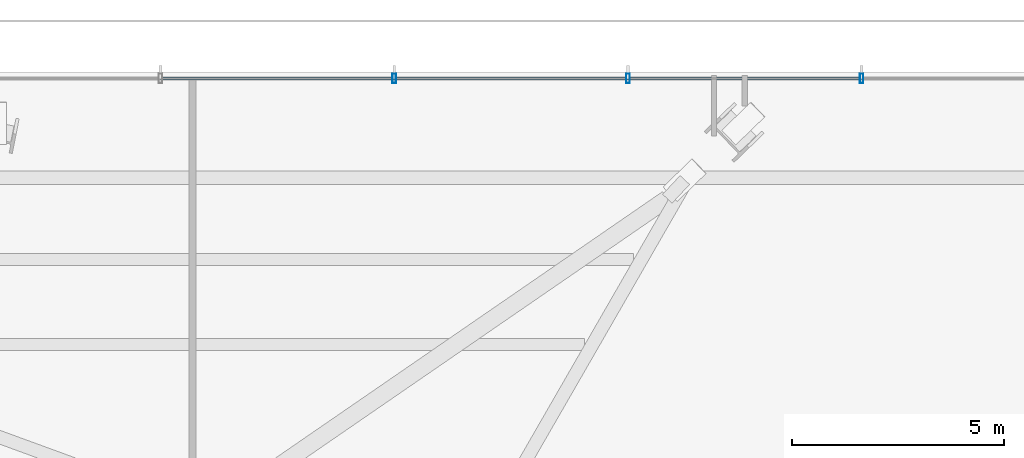
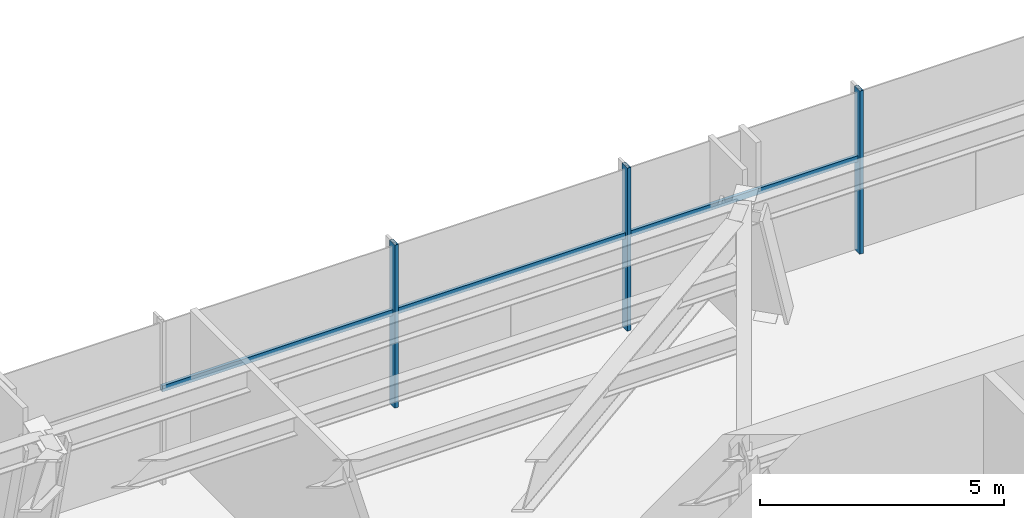
# One storey, part 17 of 33: 6 members, 1 element without a shape of its own.
"""IFC4 building model written with IfcOpenShell, lengths in metres."""

import ifcopenshell
import ifcopenshell.guid

model = None  # the IFC model being written
_history = None  # IfcOwnerHistory: only IFC2X3 demands one
_inside = {}  # id of a spatial element -> (the spatial element, [elements in it])
_under = {}  # id of a project, library or spatial element -> (it, [spatial elements below it])
_declared = {}  # id of a project -> (the project, [libraries it declares])
_typed = {}  # id of a type object -> (the type object, [elements of that type])
_made_of = {}  # id of a material, layer set ... -> (it, [elements and type objects made of it])


def new_model(schema):
    """Start an empty IFC model of exactly this schema.

    Asked for "IFC4X3", IfcOpenShell would pick the latest addendum, in which some entities
    have other attributes; the version numbers below select the first issue.
    IFC2X3 requires an IfcOwnerHistory on every rooted entity: one is made here for all.
    """
    global model, _history
    if schema == "IFC4X3":
        model = ifcopenshell.file(schema_version=(4, 3, 0, 0))
    else:
        model = ifcopenshell.file(schema=schema)
    _inside.clear()
    _under.clear()
    _declared.clear()
    _typed.clear()
    _made_of.clear()
    _history = None
    if model.schema == "IFC2X3":
        org = make("IfcOrganization", Name="unknown")
        user = make(
            "IfcPersonAndOrganization",
            ThePerson=make("IfcPerson", FamilyName="unknown"),
            TheOrganization=org,
        )
        app = make(
            "IfcApplication",
            ApplicationDeveloper=org,
            Version="unknown",
            ApplicationFullName="unknown",
            ApplicationIdentifier="unknown",
        )
        _history = make(
            "IfcOwnerHistory",
            OwningUser=user,
            OwningApplication=app,
            ChangeAction="ADDED",
            CreationDate=0,
        )
    return model


def make(cls, **values):
    """One entity of the class cls with the attributes given. An attribute that is None is left unset."""
    return model.create_entity(
        cls, **{name: value for name, value in values.items() if value is not None}
    )


def rooted(cls, **values):
    """An entity with a GlobalId (a new one), such as an element, a storey or a relation."""
    return make(cls, GlobalId=ifcopenshell.guid.new(), OwnerHistory=_history, **values)


def si_unit(unit_type, name, prefix=None):
    """IfcSIUnit, for example si_unit("LENGTHUNIT", "METRE", prefix="MILLI")."""
    return make("IfcSIUnit", UnitType=unit_type, Prefix=prefix, Name=name)


def assignment(units):
    """IfcUnitAssignment: the units of a project."""
    return None if units is None else make("IfcUnitAssignment", Units=units)


def point(xyz):
    """IfcCartesianPoint."""
    return None if xyz is None else make("IfcCartesianPoint", Coordinates=xyz)


def direction(xyz):
    """IfcDirection."""
    return None if xyz is None else make("IfcDirection", DirectionRatios=xyz)


def frame(location, z_axis=None, x_axis=None):
    """IfcAxis2Placement3D, a coordinate frame: its origin and axes. An axis left out is left unset."""
    return make(
        "IfcAxis2Placement3D",
        Location=point(location),
        Axis=direction(z_axis),
        RefDirection=direction(x_axis),
    )


def frame_2d(location, x_axis=None):
    """IfcAxis2Placement2D, a coordinate frame in the plane: its origin and x axis."""
    return make(
        "IfcAxis2Placement2D", Location=point(location), RefDirection=direction(x_axis)
    )


def origin():
    """The frame at (0, 0, 0) with its axes left unset."""
    return frame((0.0, 0.0, 0.0))


def origin_2d():
    """The frame at (0, 0) in the plane with its x axis left unset."""
    return frame_2d((0.0, 0.0))


def place(relative_to, where):
    """IfcLocalPlacement: puts the frame where relative to a parent placement (None: the world)."""
    return make(
        "IfcLocalPlacement", PlacementRelTo=relative_to, RelativePlacement=where
    )


def context(
    kind, dimensions, precision=None, world=None, true_north=None, identifier=None
):
    """IfcGeometricRepresentationContext, for example the 3D "Model" context."""
    return make(
        "IfcGeometricRepresentationContext",
        ContextIdentifier=identifier,
        ContextType=kind,
        CoordinateSpaceDimension=dimensions,
        Precision=precision,
        WorldCoordinateSystem=world,
        TrueNorth=true_north,
    )


def subcontext(parent, identifier, kind, view, scale=None):
    """IfcGeometricRepresentationSubContext, for example "Body" below "Model"."""
    return make(
        "IfcGeometricRepresentationSubContext",
        ContextIdentifier=identifier,
        ContextType=kind,
        ParentContext=parent,
        TargetScale=scale,
        TargetView=view,
    )


def project(units=None, contexts=None):
    """IfcProject with its units and contexts."""
    return rooted(
        "IfcProject",
        Name="project",
        RepresentationContexts=contexts,
        UnitsInContext=assignment(units),
    )


def spatial(cls, under=None, at=None, **own):
    """A site, building, storey or space (cls), placed at a placement, below another one or the project."""
    s = rooted(cls, ObjectPlacement=at, **own)
    if under is not None:
        _under.setdefault(under.id(), (under, []))[1].append(s)
    return s


def profile(cls, at=None, kind="AREA", **sizes):
    """A parametric profile (cls). Its sizes go by their IFC names, for example OverallWidth=200.0."""
    return make(cls, ProfileType=kind, Position=at, **sizes)


def hollow_rectangle(**sizes):
    """IfcRectangleHollowProfileDef."""
    return profile("IfcRectangleHollowProfileDef", **sizes)


def extrude(swept, where, along, depth):
    """IfcExtrudedAreaSolid: the profile swept, set in the frame where, extruded along a direction by depth."""
    return make(
        "IfcExtrudedAreaSolid",
        SweptArea=swept,
        Position=where,
        ExtrudedDirection=direction(along),
        Depth=depth,
    )


def shape(context_of_items, identifier, shape_type, items):
    """IfcShapeRepresentation: the items that make up one representation, for example the "Body"."""
    return make(
        "IfcShapeRepresentation",
        ContextOfItems=context_of_items,
        RepresentationIdentifier=identifier,
        RepresentationType=shape_type,
        Items=items,
    )


def source(mapping_origin, context_of_items, identifier, shape_type, items):
    """IfcRepresentationMap: a shape defined once, which mapped items show again and again."""
    return make(
        "IfcRepresentationMap",
        MappingOrigin=mapping_origin,
        MappedRepresentation=shape(context_of_items, identifier, shape_type, items),
    )


def transform(
    local_origin,
    x_axis=None,
    y_axis=None,
    z_axis=None,
    scale=None,
    scale2=None,
    scale3=None,
    uniform=True,
):
    """IfcCartesianTransformationOperator3D, or its non-uniform kind. x_axis, y_axis, z_axis: its Axis1, 2, 3."""
    if uniform:
        return make(
            "IfcCartesianTransformationOperator3D",
            Axis1=direction(x_axis),
            Axis2=direction(y_axis),
            LocalOrigin=point(local_origin),
            Scale=scale,
            Axis3=direction(z_axis),
        )
    return make(
        "IfcCartesianTransformationOperator3DnonUniform",
        Axis1=direction(x_axis),
        Axis2=direction(y_axis),
        LocalOrigin=point(local_origin),
        Scale=scale,
        Axis3=direction(z_axis),
        Scale2=scale2,
        Scale3=scale3,
    )


def mapped(mapping_source, mapping_target):
    """IfcMappedItem: shows the shape of a source again, moved by a transform."""
    return make(
        "IfcMappedItem", MappingSource=mapping_source, MappingTarget=mapping_target
    )


def material(Name=None, Category=None):
    """IfcMaterial."""
    return make("IfcMaterial", Name=Name, Category=Category)


def material_profile(
    of_material, cross_section, Name=None, Category=None, Priority=None
):
    """IfcMaterialProfile: a cross section and its material."""
    return make(
        "IfcMaterialProfile",
        Name=Name,
        Material=of_material,
        Profile=cross_section,
        Priority=Priority,
        Category=Category,
    )


def profile_set(profiles, Name=None, composite=None):
    """IfcMaterialProfileSet."""
    return make(
        "IfcMaterialProfileSet",
        Name=Name,
        MaterialProfiles=profiles,
        CompositeProfile=composite,
    )


def made_of(thing, what):
    """Note that an element or type object is made of a material, layer set ...; save() writes the relation."""
    if what is not None:
        _made_of.setdefault(what.id(), (what, []))[1].append(thing)
    return thing


def type_object(cls, material=None, **own):
    """A type object (cls), such as IfcWallType, which elements share."""
    return made_of(rooted(cls, **own), material)


def type_shapes(of_type, sources):
    """Give a type object the sources (RepresentationMaps) that its elements show as mapped items."""
    of_type.RepresentationMaps = sources


def element(
    cls,
    number,
    at=None,
    inside=None,
    cuts=None,
    type_object=None,
    material=None,
    context=None,
    identifier="Body",
    shape_type=None,
    held_by="IfcProductDefinitionShape",
    body=None,
    shapes=None,
    **own,
):
    """One element of the class cls, such as IfcWall. Its Tag is "e" and its number.

    at: its placement. inside: the storey or other place that contains it. cuts: it is an
    opening in that element (IfcRelVoidsElement). A single representation is given by context,
    identifier, shape_type and body (its items); several are given by shapes. held_by: the class
    of the entity that holds the representations. save() writes the other relations.
    """
    e = rooted(cls, Tag="e%d" % number, ObjectPlacement=at, **own)
    if body is not None:
        shapes = [shape(context, identifier, shape_type, body)]
    if shapes is not None:
        e.Representation = make(held_by, Representations=shapes)
    if inside is not None:
        _inside.setdefault(inside.id(), (inside, []))[1].append(e)
    if cuts is not None:
        rooted(
            "IfcRelVoidsElement", RelatingBuildingElement=cuts, RelatedOpeningElement=e
        )
    if type_object is not None:
        _typed.setdefault(type_object.id(), (type_object, []))[1].append(e)
    return made_of(e, material)


def aggregate(whole, parts):
    """IfcRelAggregates: a whole, such as a stair, and the parts it consists of."""
    return rooted("IfcRelAggregates", RelatingObject=whole, RelatedObjects=parts)


def save(model, path):
    """Write the relations noted so far, then the file.

    IfcRelAggregates (storeys below a building ...), IfcRelContainedInSpatialStructure (elements
    in a storey), IfcRelDefinesByType, IfcRelAssociatesMaterial and IfcRelDeclares: one each for
    every whole, place, type object, material and project.
    """
    for whole, parts in _under.values():
        aggregate(whole, parts)
    for where, things in _inside.values():
        rooted(
            "IfcRelContainedInSpatialStructure",
            RelatedElements=things,
            RelatingStructure=where,
        )
    for kind, things in _typed.values():
        rooted("IfcRelDefinesByType", RelatedObjects=things, RelatingType=kind)
    for what, things in _made_of.values():
        rooted("IfcRelAssociatesMaterial", RelatedObjects=things, RelatingMaterial=what)
    for by, libraries in _declared.values():
        rooted("IfcRelDeclares", RelatingContext=by, RelatedDefinitions=libraries)
    model.write(path)


model = new_model("IFC4")

# Units and contexts
model_context = context("Model", 3, precision=1e-05, world=origin(), true_north=direction((0.0, 1.0)))
body_context = subcontext(model_context, "Body", "Model", "MODEL_VIEW")
ifc_project = project(units=[si_unit("LENGTHUNIT", "METRE"), si_unit("AREAUNIT", "SQUARE_METRE"), si_unit("VOLUMEUNIT", "CUBIC_METRE"), si_unit("PLANEANGLEUNIT", "RADIAN"), si_unit("MASSUNIT", "GRAM", prefix="KILO")], contexts=[model_context])

# Site, building, storey
site_placement = place(None, origin())
site = spatial("IfcSite", under=ifc_project, at=site_placement, CompositionType="ELEMENT")
building_placement = place(site_placement, origin())
building = spatial("IfcBuilding", under=site, at=building_placement, Name="Astriad Promenade Condominiums", CompositionType="ELEMENT")
storey_placement = place(building_placement, frame((0.0, 0.0, 9.5)))
storey = spatial("IfcBuildingStorey", under=building, at=storey_placement, Name="L02", CompositionType="ELEMENT", Elevation=9.5)

# Curtain wall, members
ifc_material_1 = material(Name="Anodised aluminium Black Dark Glass Unitised", Category="aluminium")
curtain_wall_type = type_object("IfcCurtainWallType", Name="CW-POD-DARK", PredefinedType="USERDEFINED", material=ifc_material_1)
curtain_wall_placement = place(storey_placement, origin())
curtain_wall = element("IfcCurtainWall", 1, at=curtain_wall_placement, inside=storey, type_object=curtain_wall_type, Name="CW-L02-N", ObjectType="UNITISED_CURTAIN_WALL", PredefinedType="USERDEFINED")
ifc_material_2 = material(Name="Anodised aluminium 6063-T6 Black", Category="aluminium")
ifc_material_profile_1 = material_profile(ifc_material_2, hollow_rectangle(XDim=0.0849609375, YDim=0.219970703125, WallThickness=0.0048828125, at=origin_2d()), Name="ALU-MUL-85X220")
ifc_profile_set_1 = profile_set([ifc_material_profile_1], Name="Anodised aluminium 6063-T6 Black")
member_type_1 = type_object("IfcMemberType", Name="MUL-ALU-MUL-85X220", PredefinedType="MULLION", material=ifc_profile_set_1)
shared_shape_1 = source(origin(), body_context, "Body", "SweptSolid", [
    extrude(hollow_rectangle(XDim=0.0849609375, YDim=0.219970703125, WallThickness=0.0048828125, at=origin_2d()), origin(), (0.0, 0.0, 1.0), 4.080078125),
])
type_shapes(member_type_1, [shared_shape_1])
member_1_placement = place(storey_placement, frame((30.75, 34.25, 0.0), z_axis=(0.0, 0.0, 1.0), x_axis=(1.0, 0.0, 0.0)))
member_1 = element("IfcMember", 2, at=member_1_placement, type_object=member_type_1, Name="CW-L02-N-MUL-04", PredefinedType="MULLION", context=body_context, shape_type="MappedRepresentation", body=[
    mapped(shared_shape_1, transform((0.0, 0.0, 0.0), scale=1.0)),
])
member_2_placement = place(storey_placement, frame((36.25, 34.25, 0.0), z_axis=(0.0, 0.0, 1.0), x_axis=(1.0, 0.0, 0.0)))
member_2 = element("IfcMember", 3, at=member_2_placement, type_object=member_type_1, Name="CW-L02-N-MUL-05", PredefinedType="MULLION", context=body_context, shape_type="MappedRepresentation", body=[
    mapped(shared_shape_1, transform((0.0, 0.0, 0.0), scale=1.0)),
])
member_3_placement = place(storey_placement, frame((41.75, 34.25, 0.0), z_axis=(0.0, 0.0, 1.0), x_axis=(1.0, 0.0, 0.0)))
member_3 = element("IfcMember", 4, at=member_3_placement, type_object=member_type_1, Name="CW-L02-N-MUL-06", PredefinedType="MULLION", context=body_context, shape_type="MappedRepresentation", body=[
    mapped(shared_shape_1, transform((0.0, 0.0, 0.0), scale=1.0)),
])
ifc_material_profile_2 = material_profile(ifc_material_2, hollow_rectangle(XDim=0.074951171875, YDim=0.14990234375, WallThickness=0.004150390625, at=origin_2d()), Name="ALU-TRN-75X150")
ifc_profile_set_2 = profile_set([ifc_material_profile_2], Name="Anodised aluminium 6063-T6 Black")
member_type_2 = type_object("IfcMemberType", Name="TRN-ALU-TRN-75X150", PredefinedType="USERDEFINED", material=ifc_profile_set_2)
shared_shape_2 = source(origin(), body_context, "Body", "SweptSolid", [
    extrude(hollow_rectangle(XDim=0.074951171875, YDim=0.14990234375, WallThickness=0.004150390625, at=origin_2d()), origin(), (0.0, 0.0, 1.0), 5.5),
])
type_shapes(member_type_2, [shared_shape_2])
member_4_placement = place(storey_placement, frame((25.25, 34.25, 2.35009765625), z_axis=(1.0, 0.0, 0.0), x_axis=(0.0, 1.0, 0.0)))
member_4 = element("IfcMember", 5, at=member_4_placement, type_object=member_type_2, Name="CW-L02-N-TRN-03-0", ObjectType="TRANSOM", PredefinedType="USERDEFINED", context=body_context, shape_type="MappedRepresentation", body=[
    mapped(shared_shape_2, transform((0.0, 0.0, 0.0), scale=1.0)),
])
member_5_placement = place(storey_placement, frame((30.75, 34.25, 2.35009765625), z_axis=(1.0, 0.0, 0.0), x_axis=(0.0, 1.0, 0.0)))
member_5 = element("IfcMember", 6, at=member_5_placement, type_object=member_type_2, Name="CW-L02-N-TRN-04-0", ObjectType="TRANSOM", PredefinedType="USERDEFINED", context=body_context, shape_type="MappedRepresentation", body=[
    mapped(shared_shape_2, transform((0.0, 0.0, 0.0), scale=1.0)),
])
member_6_placement = place(storey_placement, frame((36.25, 34.25, 2.35009765625), z_axis=(1.0, 0.0, 0.0), x_axis=(0.0, 1.0, 0.0)))
member_6 = element("IfcMember", 7, at=member_6_placement, type_object=member_type_2, Name="CW-L02-N-TRN-05-0", ObjectType="TRANSOM", PredefinedType="USERDEFINED", context=body_context, shape_type="MappedRepresentation", body=[
    mapped(shared_shape_2, transform((0.0, 0.0, 0.0), scale=1.0)),
])
aggregate(curtain_wall, [member_1, member_2, member_3, member_4, member_5, member_6])

save(model, "model.ifc")
